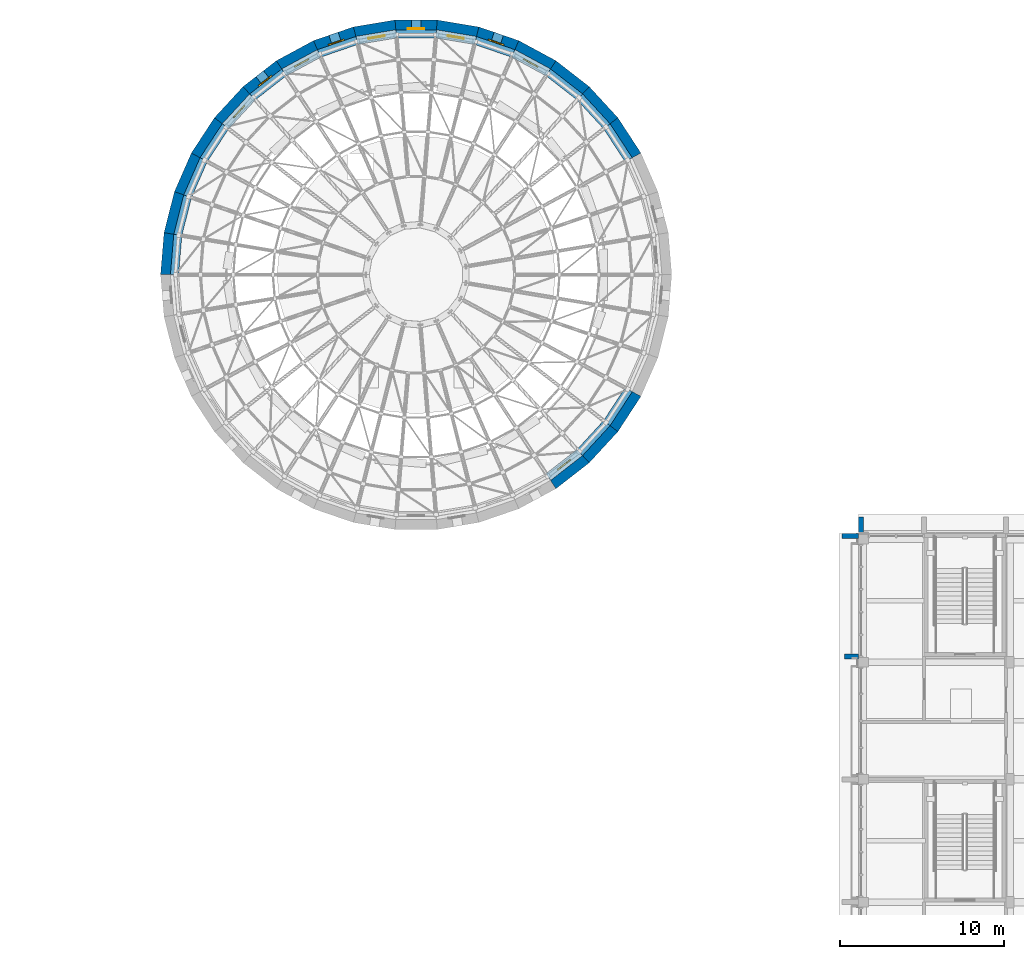
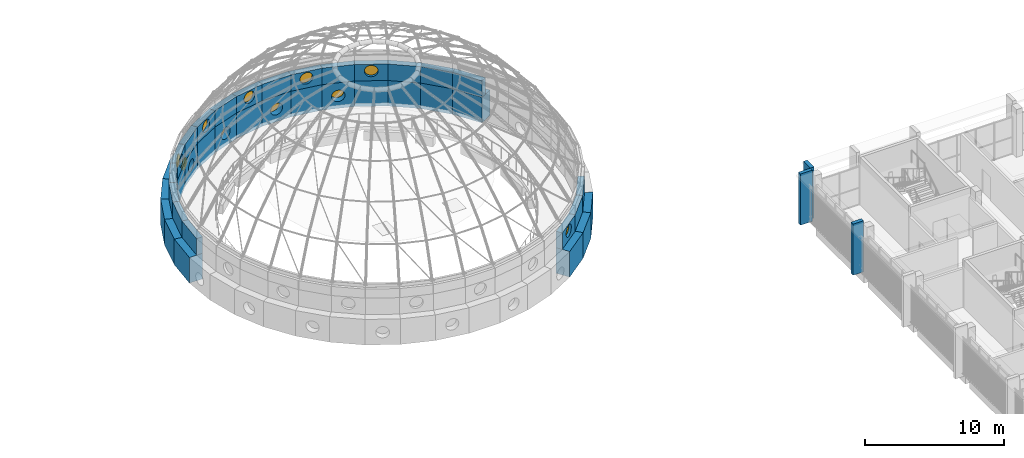
# One storey, part 57 of 98: 41 walls, 10 windows, 10 openings.
"""IFC4 building model written with IfcOpenShell, lengths in metres."""

from ifc_helpers import new_model, si_unit, direction, frame, frame_2d, origin, place, context, subcontext, project, spatial, polyline, rectangle, circle, outline, extrude, material, layer, layer_set, type_object, element, fill, save


model = new_model("IFC4")

# Units and contexts
model_context = context("Model", 3, precision=1e-05, world=origin(), true_north=direction((0.0, 1.0)))
body_context = subcontext(model_context, "Body", "Model", "MODEL_VIEW")
ifc_project = project(units=[si_unit("LENGTHUNIT", "METRE"), si_unit("AREAUNIT", "SQUARE_METRE"), si_unit("VOLUMEUNIT", "CUBIC_METRE"), si_unit("PLANEANGLEUNIT", "RADIAN"), si_unit("MASSUNIT", "GRAM", prefix="KILO")], contexts=[model_context])

# Site, building, storey
site_placement = place(None, origin())
site = spatial("IfcSite", under=ifc_project, at=site_placement, CompositionType="ELEMENT")
building_placement = place(site_placement, origin())
building = spatial("IfcBuilding", under=site, at=building_placement, Name="Sun Court Science Centre", CompositionType="ELEMENT")
storey_placement = place(building_placement, frame((0.0, 0.0, 15.75)))
storey = spatial("IfcBuildingStorey", under=building, at=storey_placement, Name="L03", CompositionType="ELEMENT", Elevation=15.75)

# Walls
ifc_material_1 = material(Name="Concrete C30/37", Category="concrete")
ifc_layer_1 = layer(ifc_material_1, 0.300048828125)
ifc_layer_set_1 = layer_set([ifc_layer_1], Name="Concrete C30/37")
wall_type_1 = type_object("IfcWallType", Name="Facade fin RC 300", PredefinedType="SOLIDWALL", material=ifc_layer_set_1)
wall_1_placement = place(storey_placement, frame((77.14990234375, 73.5, 0.0), z_axis=(0.0, 0.0, 1.0), x_axis=(1.0, 0.0, 0.0)))
element("IfcWall", 1, at=wall_1_placement, inside=storey, type_object=wall_type_1, Name="Facade fin 10 L03", PredefinedType="SOLIDWALL", context=body_context, shape_type="SweptSolid", body=[
    extrude(rectangle(XDim=0.85009765625, YDim=0.300048828125, at=frame_2d((0.425048828125, 0.0))), origin(), (0.0, 0.0, 1.0), 4.5),
])
for number, where, z_axis, x_axis, name in (
    (2, (77.0, 80.85009765625, 0.0), (0.0, 0.0, 1.0), (1.0, 0.0, 0.0), "Facade fin 11 L03"),
    (3, (78.14990234375, 81.0, 0.0), (0.0, 0.0, 1.0), (0.0, 1.0, 0.0), "Facade fin north 01 L03"),
):
    element("IfcWall", number, at=place(storey_placement, frame(where, z_axis=z_axis, x_axis=x_axis)), inside=storey, type_object=wall_type_1, Name=name, PredefinedType="SOLIDWALL", context=body_context, shape_type="SweptSolid", body=[
        extrude(rectangle(XDim=1.0, YDim=0.300048828125, at=frame_2d((0.5, 0.0))), origin(), (0.0, 0.0, 1.0), 4.5),
    ])
ifc_material_2 = material(Name="Concrete C30/37", Category="concrete")
ifc_layer_2 = layer(ifc_material_2, 1.097900390625)
ifc_layer_set_2 = layer_set([ifc_layer_2], Name="Concrete C30/37")
wall_type_2 = type_object("IfcWallType", Name="RC drum wall exterior 1098", PredefinedType="SHEAR", material=ifc_layer_set_2)
wall_2_placement = place(storey_placement, frame((64.26025390625, 103.924560546875, -0.300048828125), z_axis=(0.0, 0.0, 1.0), x_axis=(-0.546935301956, 0.837174877474, 0.0)))
element("IfcWall", 4, at=wall_2_placement, inside=storey, type_object=wall_type_2, Name="Drum wall L03 course 1 segment 3", PredefinedType="SHEAR", context=body_context, shape_type="SweptSolid", body=[
    extrude(outline(polyline([(0.0, -0.548828125), (2.576416015625, -0.548828125), (2.485595703125, 0.549072265625), (0.0908203125, 0.548828125), (0.0, -0.548828125)])), origin(), (0.0, 0.0, 1.0), 2.25),
])
wall_3_placement = place(storey_placement, frame((62.90673828125, 106.010009765625, -0.300048828125), z_axis=(0.0, 0.0, 1.0), x_axis=(-0.677319243908, 0.735689229113, 0.0)))
element("IfcWall", 5, at=wall_3_placement, inside=storey, type_object=wall_type_2, Name="Drum wall L03 course 1 segment 4", PredefinedType="SHEAR", context=body_context, shape_type="SweptSolid", body=[
    extrude(outline(polyline([(-0.000244140625, -0.548828125), (2.576416015625, -0.549072265625), (2.485595703125, 0.549072265625), (0.091064453125, 0.549072265625), (-0.000244140625, -0.548828125)])), origin(), (0.0, 0.0, 1.0), 2.25),
])
wall_4_placement = place(storey_placement, frame((61.228515625, 107.843994140625, -0.300048828125), z_axis=(0.0, 0.0, 1.0), x_axis=(-0.789137872262, 0.614216100865, 0.0)))
element("IfcWall", 6, at=wall_4_placement, inside=storey, type_object=wall_type_2, Name="Drum wall L03 course 1 segment 5", PredefinedType="SHEAR", context=body_context, shape_type="SweptSolid", body=[
    extrude(outline(polyline([(0.0, -0.549072265625), (2.57666015625, -0.549072265625), (2.48583984375, 0.549072265625), (0.09130859375, 0.549072265625), (0.0, -0.549072265625)])), origin(), (0.0, 0.0, 1.0), 2.25),
])
wall_5_placement = place(storey_placement, frame((59.27099609375, 109.376953125, -0.300048828125), z_axis=(0.0, 0.0, 1.0), x_axis=(-0.879458917392, 0.475974802506, 0.0)))
element("IfcWall", 7, at=wall_5_placement, inside=storey, type_object=wall_type_2, Name="Drum wall L03 course 1 segment 6", PredefinedType="SHEAR", context=body_context, shape_type="SweptSolid", body=[
    extrude(outline(polyline([(0.0, -0.549072265625), (2.57666015625, -0.549072265625), (2.4853515625, 0.548828125), (0.091064453125, 0.548828125), (0.0, -0.549072265625)])), origin(), (0.0, 0.0, 1.0), 2.25),
])

# Wall, opening, window
wall_6_placement = place(storey_placement, frame((57.088134765625, 110.56689453125, -0.300048828125), z_axis=(0.0, 0.0, 1.0), x_axis=(-0.945831257337, 0.32465864018, 0.0)))
wall_6 = element("IfcWall", 8, at=wall_6_placement, inside=storey, type_object=wall_type_2, Name="Drum wall L03 course 1 segment 7", PredefinedType="SHEAR", context=body_context, shape_type="SweptSolid", body=[
    extrude(outline(polyline([(0.0, -0.549072265625), (2.576416015625, -0.549072265625), (2.4853515625, 0.549072265625), (0.0908203125, 0.549072265625), (0.0, -0.549072265625)])), origin(), (0.0, 0.0, 1.0), 2.25),
])
opening_1_placement = place(wall_6_placement, frame((0.788330078125, 0.0, 0.60009765625)))
opening_1 = element("IfcOpeningElement", 9, at=opening_1_placement, cuts=wall_6, Name="Opening WN-L03-058", PredefinedType="OPENING", context=body_context, shape_type="SweptSolid", body=[
    extrude(circle(Radius=0.5, at=frame_2d((0.5, 0.5))), frame((0.0, 0.558837890625, 0.0), z_axis=(0.0, -1.0, 0.0), x_axis=(1.0, 0.0, 0.0)), (0.0, 0.0, 1.0), 1.117919921875),
])
ifc_material_3 = material(Name="Aluminium frame, 6-12-6 glazing", Category="aluminium")
window_type = type_object("IfcWindowType", Name="Round porthole 1000", PartitioningType="SINGLE_PANEL", PredefinedType="WINDOW", material=ifc_material_3)
window_1_placement = place(opening_1_placement, origin())
window_1 = element("IfcWindow", 10, at=window_1_placement, inside=storey, type_object=window_type, Name="Drum porthole L03 07", OverallHeight=1.0, OverallWidth=1.0, PartitioningType="SINGLE_PANEL", PredefinedType="WINDOW", context=body_context, shape_type="SweptSolid", body=[
    extrude(circle(Radius=0.5, at=frame_2d((0.5, 0.5))), frame((0.0, 0.030029296875, 0.0), z_axis=(0.0, -1.0, 0.0), x_axis=(1.0, 0.0, 0.0)), (0.0, 0.0, 1.0), 0.06005859375),
])
fill(opening_1, window_1)

# Wall
wall_7_placement = place(storey_placement, frame((54.7392578125, 111.381103515625, -0.300048828125), z_axis=(0.0, 0.0, 1.0), x_axis=(-0.986360609423, 0.164598749022, 0.0)))
element("IfcWall", 11, at=wall_7_placement, inside=storey, type_object=wall_type_2, Name="Drum wall L03 course 1 segment 8", PredefinedType="SHEAR", context=body_context, shape_type="SweptSolid", body=[
    extrude(outline(polyline([(0.0, -0.549072265625), (2.57666015625, -0.548828125), (2.485595703125, 0.548828125), (0.091064453125, 0.549072265625), (0.0, -0.549072265625)])), origin(), (0.0, 0.0, 1.0), 2.25),
])

# Wall, opening, window
wall_8_placement = place(storey_placement, frame((52.288330078125, 111.7978515625, -0.300048828125), z_axis=(0.0, 0.0, 1.0), x_axis=(-1.0, 0.0, 0.0)))
wall_8 = element("IfcWall", 12, at=wall_8_placement, inside=storey, type_object=wall_type_2, Name="Drum wall L03 course 1 segment 9", PredefinedType="SHEAR", context=body_context, shape_type="SweptSolid", body=[
    extrude(outline(polyline([(0.000244140625, -0.548828125), (2.576416015625, -0.548828125), (2.485595703125, 0.549072265625), (0.091064453125, 0.549072265625), (0.000244140625, -0.548828125)])), origin(), (0.0, 0.0, 1.0), 2.25),
])
opening_2_placement = place(wall_8_placement, frame((0.788330078125, 0.0, 0.60009765625)))
opening_2 = element("IfcOpeningElement", 13, at=opening_2_placement, cuts=wall_8, Name="Opening WN-L03-059", PredefinedType="OPENING", context=body_context, shape_type="SweptSolid", body=[
    extrude(circle(Radius=0.5, at=frame_2d((0.5, 0.5))), frame((0.0, 0.558837890625, 0.0), z_axis=(0.0, -1.0, 0.0), x_axis=(1.0, 0.0, 0.0)), (0.0, 0.0, 1.0), 1.117919921875),
])
window_2_placement = place(opening_2_placement, origin())
window_2 = element("IfcWindow", 14, at=window_2_placement, inside=storey, type_object=window_type, Name="Drum porthole L03 09", OverallHeight=1.0, OverallWidth=1.0, PartitioningType="SINGLE_PANEL", PredefinedType="WINDOW", context=body_context, shape_type="SweptSolid", body=[
    extrude(circle(Radius=0.5, at=frame_2d((0.5, 0.5))), frame((0.0, 0.030029296875, 0.0), z_axis=(0.0, -1.0, 0.0), x_axis=(1.0, 0.0, 0.0)), (0.0, 0.0, 1.0), 0.06005859375),
])
fill(opening_2, window_2)

# Wall
wall_9_placement = place(storey_placement, frame((49.802001953125, 111.80517578125, -0.300048828125), z_axis=(0.0, 0.0, 1.0), x_axis=(-0.986360609423, -0.164598749022, 0.0)))
element("IfcWall", 15, at=wall_9_placement, inside=storey, type_object=wall_type_2, Name="Drum wall L03 course 1 segment 10", PredefinedType="SHEAR", context=body_context, shape_type="SweptSolid", body=[
    extrude(outline(polyline([(-0.000244140625, -0.548828125), (2.576416015625, -0.549072265625), (2.4853515625, 0.549072265625), (0.0908203125, 0.548828125), (-0.000244140625, -0.548828125)])), origin(), (0.0, 0.0, 1.0), 2.25),
])

# Wall, opening, window
wall_10_placement = place(storey_placement, frame((47.3486328125, 111.4033203125, -0.300048828125), z_axis=(0.0, 0.0, 1.0), x_axis=(-0.945831257337, -0.32465864018, 0.0)))
wall_10 = element("IfcWall", 16, at=wall_10_placement, inside=storey, type_object=wall_type_2, Name="Drum wall L03 course 1 segment 11", PredefinedType="SHEAR", context=body_context, shape_type="SweptSolid", body=[
    extrude(outline(polyline([(0.0, -0.549072265625), (2.576416015625, -0.549072265625), (2.4853515625, 0.549072265625), (0.0908203125, 0.549072265625), (0.0, -0.549072265625)])), origin(), (0.0, 0.0, 1.0), 2.25),
])
opening_3_placement = place(wall_10_placement, frame((0.788330078125, 0.0, 0.60009765625)))
opening_3 = element("IfcOpeningElement", 17, at=opening_3_placement, cuts=wall_10, Name="Opening WN-L03-060", PredefinedType="OPENING", context=body_context, shape_type="SweptSolid", body=[
    extrude(circle(Radius=0.5, at=frame_2d((0.5, 0.5))), frame((0.0, 0.558837890625, 0.0), z_axis=(0.0, -1.0, 0.0), x_axis=(1.0, 0.0, 0.0)), (0.0, 0.0, 1.0), 1.117919921875),
])
window_3_placement = place(opening_3_placement, origin())
window_3 = element("IfcWindow", 18, at=window_3_placement, inside=storey, type_object=window_type, Name="Drum porthole L03 11", OverallHeight=1.0, OverallWidth=1.0, PartitioningType="SINGLE_PANEL", PredefinedType="WINDOW", context=body_context, shape_type="SweptSolid", body=[
    extrude(circle(Radius=0.5, at=frame_2d((0.5, 0.5))), frame((0.0, 0.030029296875, 0.0), z_axis=(0.0, -1.0, 0.0), x_axis=(1.0, 0.0, 0.0)), (0.0, 0.0, 1.0), 0.06005859375),
])
fill(opening_3, window_3)

# Wall
wall_11_placement = place(storey_placement, frame((44.994873046875, 110.603271484375, -0.300048828125), z_axis=(0.0, 0.0, 1.0), x_axis=(-0.879458917392, -0.475974802506, 0.0)))
element("IfcWall", 19, at=wall_11_placement, inside=storey, type_object=wall_type_2, Name="Drum wall L03 course 1 segment 12", PredefinedType="SHEAR", context=body_context, shape_type="SweptSolid", body=[
    extrude(outline(polyline([(0.0, -0.549072265625), (2.57666015625, -0.549072265625), (2.4853515625, 0.548828125), (0.091064453125, 0.548828125), (0.0, -0.549072265625)])), origin(), (0.0, 0.0, 1.0), 2.25),
])

# Wall, opening, window
wall_12_placement = place(storey_placement, frame((42.8046875, 109.426513671875, -0.300048828125), z_axis=(0.0, 0.0, 1.0), x_axis=(-0.789137872262, -0.614216100865, 0.0)))
wall_12 = element("IfcWall", 20, at=wall_12_placement, inside=storey, type_object=wall_type_2, Name="Drum wall L03 course 1 segment 13", PredefinedType="SHEAR", context=body_context, shape_type="SweptSolid", body=[
    extrude(outline(polyline([(0.0, -0.549072265625), (2.576416015625, -0.549072265625), (2.4853515625, 0.549072265625), (0.0908203125, 0.549072265625), (0.0, -0.549072265625)])), origin(), (0.0, 0.0, 1.0), 2.25),
])
opening_4_placement = place(wall_12_placement, frame((0.788330078125, 0.0, 0.60009765625)))
opening_4 = element("IfcOpeningElement", 21, at=opening_4_placement, cuts=wall_12, Name="Opening WN-L03-061", PredefinedType="OPENING", context=body_context, shape_type="SweptSolid", body=[
    extrude(circle(Radius=0.5, at=frame_2d((0.5, 0.5))), frame((0.0, 0.558837890625, 0.0), z_axis=(0.0, -1.0, 0.0), x_axis=(1.0, 0.0, 0.0)), (0.0, 0.0, 1.0), 1.117919921875),
])
window_4_placement = place(opening_4_placement, origin())
window_4 = element("IfcWindow", 22, at=window_4_placement, inside=storey, type_object=window_type, Name="Drum porthole L03 13", OverallHeight=1.0, OverallWidth=1.0, PartitioningType="SINGLE_PANEL", PredefinedType="WINDOW", context=body_context, shape_type="SweptSolid", body=[
    extrude(circle(Radius=0.5, at=frame_2d((0.5, 0.5))), frame((0.0, 0.030029296875, 0.0), z_axis=(0.0, -1.0, 0.0), x_axis=(1.0, 0.0, 0.0)), (0.0, 0.0, 1.0), 0.06005859375),
])
fill(opening_4, window_4)

# Walls
wall_13_placement = place(storey_placement, frame((40.83837890625, 107.905517578125, -0.300048828125), z_axis=(0.0, 0.0, 1.0), x_axis=(-0.677319243908, -0.735689229113, 0.0)))
element("IfcWall", 23, at=wall_13_placement, inside=storey, type_object=wall_type_2, Name="Drum wall L03 course 1 segment 14", PredefinedType="SHEAR", context=body_context, shape_type="SweptSolid", body=[
    extrude(outline(polyline([(0.000244140625, -0.549072265625), (2.57666015625, -0.548828125), (2.485595703125, 0.549072265625), (0.0908203125, 0.549072265625), (0.000244140625, -0.549072265625)])), origin(), (0.0, 0.0, 1.0), 2.25),
])
wall_14_placement = place(storey_placement, frame((39.14892578125, 106.08154296875, -0.300048828125), z_axis=(0.0, 0.0, 1.0), x_axis=(-0.546935301956, -0.837174877474, 0.0)))
element("IfcWall", 24, at=wall_14_placement, inside=storey, type_object=wall_type_2, Name="Drum wall L03 course 1 segment 15", PredefinedType="SHEAR", context=body_context, shape_type="SweptSolid", body=[
    extrude(outline(polyline([(0.0, -0.548828125), (2.576416015625, -0.548828125), (2.485595703125, 0.548828125), (0.091064453125, 0.549072265625), (0.0, -0.548828125)])), origin(), (0.0, 0.0, 1.0), 2.25),
])
wall_15_placement = place(storey_placement, frame((37.782958984375, 104.004150390625, -0.300048828125), z_axis=(0.0, 0.0, 1.0), x_axis=(-0.401693563035, -0.915774143234, 0.0)))
element("IfcWall", 25, at=wall_15_placement, inside=storey, type_object=wall_type_2, Name="Drum wall L03 course 1 segment 16", PredefinedType="SHEAR", context=body_context, shape_type="SweptSolid", body=[
    extrude(outline(polyline([(-0.000244140625, -0.549072265625), (2.576416015625, -0.548828125), (2.4853515625, 0.549072265625), (0.0908203125, 0.548828125), (-0.000244140625, -0.549072265625)])), origin(), (0.0, 0.0, 1.0), 2.25),
])
wall_16_placement = place(storey_placement, frame((36.77734375, 101.73046875, -0.300048828125), z_axis=(0.0, 0.0, 1.0), x_axis=(-0.24543313963, -0.969413520625, 0.0)))
element("IfcWall", 26, at=wall_16_placement, inside=storey, type_object=wall_type_2, Name="Drum wall L03 course 1 segment 17", PredefinedType="SHEAR", context=body_context, shape_type="SweptSolid", body=[
    extrude(outline(polyline([(0.0, -0.548828125), (2.576416015625, -0.549072265625), (2.485595703125, 0.548828125), (0.0908203125, 0.549072265625), (0.0, -0.548828125)])), origin(), (0.0, 0.0, 1.0), 2.25),
])
wall_17_placement = place(storey_placement, frame((36.159912109375, 99.322265625, -0.300048828125), z_axis=(0.0, 0.0, 1.0), x_axis=(-0.082629840091, -0.996580307615, 0.0)))
element("IfcWall", 27, at=wall_17_placement, inside=storey, type_object=wall_type_2, Name="Drum wall L03 course 1 segment 18", PredefinedType="SHEAR", context=body_context, shape_type="SweptSolid", body=[
    extrude(outline(polyline([(0.0, -0.549072265625), (2.576416015625, -0.549072265625), (2.4853515625, 0.549072265625), (0.0908203125, 0.548828125), (0.0, -0.549072265625)])), origin(), (0.0, 0.0, 1.0), 2.25),
])
wall_18_placement = place(storey_placement, frame((59.1953125, 84.17333984375, -0.300048828125), z_axis=(0.0, 0.0, 1.0), x_axis=(0.789137872262, 0.614216100865, 0.0)))
element("IfcWall", 28, at=wall_18_placement, inside=storey, type_object=wall_type_2, Name="Drum wall L03 course 1 segment 32", PredefinedType="SHEAR", context=body_context, shape_type="SweptSolid", body=[
    extrude(outline(polyline([(0.0, -0.548828125), (2.576416015625, -0.548828125), (2.4853515625, 0.549072265625), (0.0908203125, 0.54931640625), (0.0, -0.548828125)])), origin(), (0.0, 0.0, 1.0), 2.25),
])
wall_19_placement = place(storey_placement, frame((61.16162109375, 85.694580078125, -0.300048828125), z_axis=(0.0, 0.0, 1.0), x_axis=(0.677319243908, 0.735689229113, 0.0)))
element("IfcWall", 29, at=wall_19_placement, inside=storey, type_object=wall_type_2, Name="Drum wall L03 course 1 segment 33", PredefinedType="SHEAR", context=body_context, shape_type="SweptSolid", body=[
    extrude(outline(polyline([(0.000244140625, -0.549072265625), (2.576416015625, -0.548828125), (2.485595703125, 0.549072265625), (0.0908203125, 0.549072265625), (0.000244140625, -0.549072265625)])), origin(), (0.0, 0.0, 1.0), 2.25),
])
wall_20_placement = place(storey_placement, frame((62.85107421875, 87.5185546875, -0.300048828125), z_axis=(0.0, 0.0, 1.0), x_axis=(0.546935301956, 0.837174877474, 0.0)))
element("IfcWall", 30, at=wall_20_placement, inside=storey, type_object=wall_type_2, Name="Drum wall L03 course 1 segment 34", PredefinedType="SHEAR", context=body_context, shape_type="SweptSolid", body=[
    extrude(outline(polyline([(0.0, -0.548828125), (2.576416015625, -0.548828125), (2.485595703125, 0.548828125), (0.091064453125, 0.549072265625), (0.0, -0.548828125)])), origin(), (0.0, 0.0, 1.0), 2.25),
])
ifc_material_4 = material(Name="Concrete C30/37", Category="concrete")
ifc_layer_3 = layer(ifc_material_4, 0.5)
ifc_layer_set_3 = layer_set([ifc_layer_3], Name="Concrete C30/37")
wall_type_3 = type_object("IfcWallType", Name="RC drum wall exterior 500", PredefinedType="SHEAR", material=ifc_layer_set_3)
wall_21_placement = place(storey_placement, frame((63.98291015625, 103.802490234375, 1.949951171875), z_axis=(0.0, 0.0, 1.0), x_axis=(-0.546943979507, 0.837169208273, 0.0)))
element("IfcWall", 31, at=wall_21_placement, inside=storey, type_object=wall_type_3, Name="Drum wall L03 course 2 segment 3", PredefinedType="SHEAR", context=body_context, shape_type="SweptSolid", body=[
    extrude(outline(polyline([(0.0, -0.25), (2.477294921875, -0.25), (2.43603515625, 0.25), (0.04150390625, 0.25), (0.0, -0.25)])), origin(), (0.0, 0.0, 1.0), 1.449951171875),
])
wall_22_placement = place(storey_placement, frame((62.653076171875, 105.84375, 1.949951171875), z_axis=(0.0, 0.0, 1.0), x_axis=(-0.677231577782, 0.735769930111, 0.0)))
element("IfcWall", 32, at=wall_22_placement, inside=storey, type_object=wall_type_3, Name="Drum wall L03 course 2 segment 4", PredefinedType="SHEAR", context=body_context, shape_type="SweptSolid", body=[
    extrude(outline(polyline([(0.0, -0.250244140625), (2.4775390625, -0.25), (2.43603515625, 0.25), (0.04150390625, 0.249755859375), (0.0, -0.250244140625)])), origin(), (0.0, 0.0, 1.0), 1.449951171875),
])
wall_23_placement = place(storey_placement, frame((61.005615234375, 107.638671875, 1.949951171875), z_axis=(0.0, 0.0, 1.0), x_axis=(-0.789145203005, 0.614206682294, 0.0)))
element("IfcWall", 33, at=wall_23_placement, inside=storey, type_object=wall_type_3, Name="Drum wall L03 course 2 segment 5", PredefinedType="SHEAR", context=body_context, shape_type="SweptSolid", body=[
    extrude(outline(polyline([(0.0, -0.25), (2.477294921875, -0.249755859375), (2.43603515625, 0.25), (0.04150390625, 0.25), (0.0, -0.25)])), origin(), (0.0, 0.0, 1.0), 1.449951171875),
])

# Wall, opening, window
wall_24_placement = place(storey_placement, frame((59.085205078125, 109.1376953125, 1.949951171875), z_axis=(0.0, 0.0, 1.0), x_axis=(-0.879491377555, 0.475914820956, 0.0)))
wall_24 = element("IfcWall", 34, at=wall_24_placement, inside=storey, type_object=wall_type_3, Name="Drum wall L03 course 2 segment 6", PredefinedType="SHEAR", context=body_context, shape_type="SweptSolid", body=[
    extrude(outline(polyline([(0.0, -0.249755859375), (2.477294921875, -0.25), (2.435791015625, 0.25), (0.04150390625, 0.25), (0.0, -0.249755859375)])), origin(), (0.0, 0.0, 1.0), 1.449951171875),
])
opening_5_placement = place(wall_24_placement, frame((0.73876953125, 0.0, 0.35009765625)))
opening_5 = element("IfcOpeningElement", 35, at=opening_5_placement, cuts=wall_24, Name="Opening WN-L03-070", PredefinedType="OPENING", context=body_context, shape_type="SweptSolid", body=[
    extrude(circle(Radius=0.5, at=frame_2d((0.5, 0.5))), frame((0.0, 0.260009765625, 0.0), z_axis=(0.0, -1.0, 0.0), x_axis=(1.0, 0.0, 0.0)), (0.0, 0.0, 1.0), 0.52001953125),
])
window_5_placement = place(opening_5_placement, origin())
window_5 = element("IfcWindow", 36, at=window_5_placement, inside=storey, type_object=window_type, Name="Drum porthole L03 06", OverallHeight=1.0, OverallWidth=1.0, PartitioningType="SINGLE_PANEL", PredefinedType="WINDOW", context=body_context, shape_type="SweptSolid", body=[
    extrude(circle(Radius=0.5, at=frame_2d((0.5, 0.5))), frame((0.0, 0.030029296875, 0.0), z_axis=(0.0, -1.0, 0.0), x_axis=(1.0, 0.0, 0.0)), (0.0, 0.0, 1.0), 0.06005859375),
])
fill(opening_5, window_5)

# Wall
wall_25_placement = place(storey_placement, frame((56.9443359375, 110.300048828125, 1.949951171875), z_axis=(0.0, 0.0, 1.0), x_axis=(-0.945817167916, 0.324699684131, 0.0)))
element("IfcWall", 37, at=wall_25_placement, inside=storey, type_object=wall_type_3, Name="Drum wall L03 course 2 segment 7", PredefinedType="SHEAR", context=body_context, shape_type="SweptSolid", body=[
    extrude(outline(polyline([(0.000244140625, -0.25), (2.4775390625, -0.250244140625), (2.43603515625, 0.25), (0.04150390625, 0.25), (0.000244140625, -0.25)])), origin(), (0.0, 0.0, 1.0), 1.449951171875),
])

# Wall, opening, window
wall_26_placement = place(storey_placement, frame((54.64111328125, 111.094482421875, 1.949951171875), z_axis=(0.0, 0.0, 1.0), x_axis=(-0.986364610183, 0.164574772605, 0.0)))
wall_26 = element("IfcWall", 38, at=wall_26_placement, inside=storey, type_object=wall_type_3, Name="Drum wall L03 course 2 segment 8", PredefinedType="SHEAR", context=body_context, shape_type="SweptSolid", body=[
    extrude(outline(polyline([(0.0, -0.25), (2.477294921875, -0.25), (2.43603515625, 0.25), (0.04150390625, 0.250244140625), (0.0, -0.25)])), origin(), (0.0, 0.0, 1.0), 1.449951171875),
])
opening_6_placement = place(wall_26_placement, frame((0.73876953125, 0.0, 0.35009765625)))
opening_6 = element("IfcOpeningElement", 39, at=opening_6_placement, cuts=wall_26, Name="Opening WN-L03-071", PredefinedType="OPENING", context=body_context, shape_type="SweptSolid", body=[
    extrude(circle(Radius=0.5, at=frame_2d((0.5, 0.5))), frame((0.0, 0.260009765625, 0.0), z_axis=(0.0, -1.0, 0.0), x_axis=(1.0, 0.0, 0.0)), (0.0, 0.0, 1.0), 0.52001953125),
])
window_6_placement = place(opening_6_placement, origin())
window_6 = element("IfcWindow", 40, at=window_6_placement, inside=storey, type_object=window_type, Name="Drum porthole L03 08", OverallHeight=1.0, OverallWidth=1.0, PartitioningType="SINGLE_PANEL", PredefinedType="WINDOW", context=body_context, shape_type="SweptSolid", body=[
    extrude(circle(Radius=0.5, at=frame_2d((0.5, 0.5))), frame((0.0, 0.030029296875, 0.0), z_axis=(0.0, -1.0, 0.0), x_axis=(1.0, 0.0, 0.0)), (0.0, 0.0, 1.0), 0.06005859375),
])
fill(opening_6, window_6)

# Wall
wall_27_placement = place(storey_placement, frame((52.23876953125, 111.498779296875, 1.949951171875), z_axis=(0.0, 0.0, 1.0), x_axis=(-1.0, 0.0, 0.0)))
element("IfcWall", 41, at=wall_27_placement, inside=storey, type_object=wall_type_3, Name="Drum wall L03 course 2 segment 9", PredefinedType="SHEAR", context=body_context, shape_type="SweptSolid", body=[
    extrude(outline(polyline([(0.0, -0.25), (2.4775390625, -0.25), (2.43603515625, 0.25), (0.04150390625, 0.25), (0.0, -0.25)])), origin(), (0.0, 0.0, 1.0), 1.449951171875),
])

# Wall, opening, window
wall_28_placement = place(storey_placement, frame((49.802490234375, 111.502197265625, 1.949951171875), z_axis=(0.0, 0.0, 1.0), x_axis=(-0.986364610183, -0.164574772605, 0.0)))
wall_28 = element("IfcWall", 42, at=wall_28_placement, inside=storey, type_object=wall_type_3, Name="Drum wall L03 course 2 segment 10", PredefinedType="SHEAR", context=body_context, shape_type="SweptSolid", body=[
    extrude(outline(polyline([(0.0, -0.25), (2.4775390625, -0.25), (2.43603515625, 0.250244140625), (0.04150390625, 0.25), (0.0, -0.25)])), origin(), (0.0, 0.0, 1.0), 1.449951171875),
])
opening_7_placement = place(wall_28_placement, frame((0.73876953125, 0.0, 0.35009765625)))
opening_7 = element("IfcOpeningElement", 43, at=opening_7_placement, cuts=wall_28, Name="Opening WN-L03-072", PredefinedType="OPENING", context=body_context, shape_type="SweptSolid", body=[
    extrude(circle(Radius=0.5, at=frame_2d((0.5, 0.5))), frame((0.0, 0.260009765625, 0.0), z_axis=(0.0, -1.0, 0.0), x_axis=(1.0, 0.0, 0.0)), (0.0, 0.0, 1.0), 0.52001953125),
])
window_7_placement = place(opening_7_placement, origin())
window_7 = element("IfcWindow", 44, at=window_7_placement, inside=storey, type_object=window_type, Name="Drum porthole L03 10", OverallHeight=1.0, OverallWidth=1.0, PartitioningType="SINGLE_PANEL", PredefinedType="WINDOW", context=body_context, shape_type="SweptSolid", body=[
    extrude(circle(Radius=0.5, at=frame_2d((0.5, 0.5))), frame((0.0, 0.030029296875, 0.0), z_axis=(0.0, -1.0, 0.0), x_axis=(1.0, 0.0, 0.0)), (0.0, 0.0, 1.0), 0.06005859375),
])
fill(opening_7, window_7)

# Wall
wall_29_placement = place(storey_placement, frame((47.39892578125, 111.1044921875, 1.949951171875), z_axis=(0.0, 0.0, 1.0), x_axis=(-0.945817167916, -0.324699684131, 0.0)))
element("IfcWall", 45, at=wall_29_placement, inside=storey, type_object=wall_type_3, Name="Drum wall L03 course 2 segment 11", PredefinedType="SHEAR", context=body_context, shape_type="SweptSolid", body=[
    extrude(outline(polyline([(0.0, -0.250244140625), (2.477294921875, -0.25), (2.43603515625, 0.25), (0.04150390625, 0.25), (0.0, -0.250244140625)])), origin(), (0.0, 0.0, 1.0), 1.449951171875),
])

# Wall, opening, window
wall_30_placement = place(storey_placement, frame((45.093505859375, 110.316650390625, 1.949951171875), z_axis=(0.0, 0.0, 1.0), x_axis=(-0.879491377555, -0.475914820956, 0.0)))
wall_30 = element("IfcWall", 46, at=wall_30_placement, inside=storey, type_object=wall_type_3, Name="Drum wall L03 course 2 segment 12", PredefinedType="SHEAR", context=body_context, shape_type="SweptSolid", body=[
    extrude(outline(polyline([(0.0, -0.25), (2.477294921875, -0.249755859375), (2.435791015625, 0.25), (0.04150390625, 0.25), (0.0, -0.25)])), origin(), (0.0, 0.0, 1.0), 1.449951171875),
])
opening_8_placement = place(wall_30_placement, frame((0.73876953125, 0.0, 0.35009765625)))
opening_8 = element("IfcOpeningElement", 47, at=opening_8_placement, cuts=wall_30, Name="Opening WN-L03-073", PredefinedType="OPENING", context=body_context, shape_type="SweptSolid", body=[
    extrude(circle(Radius=0.5, at=frame_2d((0.5, 0.5))), frame((0.0, 0.260009765625, 0.0), z_axis=(0.0, -1.0, 0.0), x_axis=(1.0, 0.0, 0.0)), (0.0, 0.0, 1.0), 0.52001953125),
])
window_8_placement = place(opening_8_placement, origin())
window_8 = element("IfcWindow", 48, at=window_8_placement, inside=storey, type_object=window_type, Name="Drum porthole L03 12", OverallHeight=1.0, OverallWidth=1.0, PartitioningType="SINGLE_PANEL", PredefinedType="WINDOW", context=body_context, shape_type="SweptSolid", body=[
    extrude(circle(Radius=0.5, at=frame_2d((0.5, 0.5))), frame((0.0, 0.030029296875, 0.0), z_axis=(0.0, -1.0, 0.0), x_axis=(1.0, 0.0, 0.0)), (0.0, 0.0, 1.0), 0.06005859375),
])
fill(opening_8, window_8)

# Wall
wall_31_placement = place(storey_placement, frame((42.94921875, 109.16015625, 1.949951171875), z_axis=(0.0, 0.0, 1.0), x_axis=(-0.789145203005, -0.614206682294, 0.0)))
element("IfcWall", 49, at=wall_31_placement, inside=storey, type_object=wall_type_3, Name="Drum wall L03 course 2 segment 13", PredefinedType="SHEAR", context=body_context, shape_type="SweptSolid", body=[
    extrude(outline(polyline([(-0.000244140625, -0.249755859375), (2.477294921875, -0.25), (2.435791015625, 0.25), (0.041259765625, 0.25), (-0.000244140625, -0.249755859375)])), origin(), (0.0, 0.0, 1.0), 1.449951171875),
])

# Wall, opening, window
wall_32_placement = place(storey_placement, frame((41.024658203125, 107.66650390625, 1.949951171875), z_axis=(0.0, 0.0, 1.0), x_axis=(-0.677231577782, -0.735769930111, 0.0)))
wall_32 = element("IfcWall", 50, at=wall_32_placement, inside=storey, type_object=wall_type_3, Name="Drum wall L03 course 2 segment 14", PredefinedType="SHEAR", context=body_context, shape_type="SweptSolid", body=[
    extrude(outline(polyline([(-0.000244140625, -0.25), (2.477294921875, -0.250244140625), (2.435791015625, 0.249755859375), (0.041259765625, 0.25), (-0.000244140625, -0.25)])), origin(), (0.0, 0.0, 1.0), 1.449951171875),
])
opening_9_placement = place(wall_32_placement, frame((0.73876953125, 0.0, 0.35009765625)))
opening_9 = element("IfcOpeningElement", 51, at=opening_9_placement, cuts=wall_32, Name="Opening WN-L03-074", PredefinedType="OPENING", context=body_context, shape_type="SweptSolid", body=[
    extrude(circle(Radius=0.5, at=frame_2d((0.5, 0.5))), frame((0.0, 0.260009765625, 0.0), z_axis=(0.0, -1.0, 0.0), x_axis=(1.0, 0.0, 0.0)), (0.0, 0.0, 1.0), 0.52001953125),
])
window_9_placement = place(opening_9_placement, origin())
window_9 = element("IfcWindow", 52, at=window_9_placement, inside=storey, type_object=window_type, Name="Drum porthole L03 14", OverallHeight=1.0, OverallWidth=1.0, PartitioningType="SINGLE_PANEL", PredefinedType="WINDOW", context=body_context, shape_type="SweptSolid", body=[
    extrude(circle(Radius=0.5, at=frame_2d((0.5, 0.5))), frame((0.0, 0.030029296875, 0.0), z_axis=(0.0, -1.0, 0.0), x_axis=(1.0, 0.0, 0.0)), (0.0, 0.0, 1.0), 0.06005859375),
])
fill(opening_9, window_9)

# Walls
wall_33_placement = place(storey_placement, frame((39.3720703125, 105.87646484375, 1.949951171875), z_axis=(0.0, 0.0, 1.0), x_axis=(-0.546943979507, -0.837169208273, 0.0)))
element("IfcWall", 53, at=wall_33_placement, inside=storey, type_object=wall_type_3, Name="Drum wall L03 course 2 segment 15", PredefinedType="SHEAR", context=body_context, shape_type="SweptSolid", body=[
    extrude(outline(polyline([(0.0, -0.25), (2.477294921875, -0.25), (2.43603515625, 0.25), (0.041259765625, 0.25), (0.0, -0.25)])), origin(), (0.0, 0.0, 1.0), 1.449951171875),
])
for number, where, z_axis, x_axis, name in (
    (54, (38.036865234375, 103.8388671875, 1.949951171875), (0.0, 0.0, 1.0), (-0.401671644692, -0.915783757145, 0.0), "Drum wall L03 course 2 segment 16"),
    (55, (37.05517578125, 101.609130859375, 1.949951171875), (0.0, 0.0, 1.0), (-0.245479308712, -0.969401830509, 0.0), "Drum wall L03 course 2 segment 17"),
):
    element("IfcWall", number, at=place(storey_placement, frame(where, z_axis=z_axis, x_axis=x_axis)), inside=storey, type_object=wall_type_3, Name=name, PredefinedType="SHEAR", context=body_context, shape_type="SweptSolid", body=[
        extrude(outline(polyline([(0.0, -0.25), (2.4775390625, -0.25), (2.43603515625, 0.25), (0.04150390625, 0.25), (0.0, -0.25)])), origin(), (0.0, 0.0, 1.0), 1.449951171875),
    ])
wall_34_placement = place(storey_placement, frame((36.45361328125, 99.248291015625, 1.949951171875), z_axis=(0.0, 0.0, 1.0), x_axis=(-0.082482736782, -0.996592493516, 0.0)))
element("IfcWall", 56, at=wall_34_placement, inside=storey, type_object=wall_type_3, Name="Drum wall L03 course 2 segment 18", PredefinedType="SHEAR", context=body_context, shape_type="SweptSolid", body=[
    extrude(outline(polyline([(0.0, -0.249755859375), (2.477294921875, -0.250244140625), (2.43603515625, 0.249755859375), (0.04150390625, 0.250244140625), (0.0, -0.249755859375)])), origin(), (0.0, 0.0, 1.0), 1.449951171875),
])

# Wall, opening, window
wall_35_placement = place(storey_placement, frame((59.05078125, 84.439697265625, 1.949951171875), z_axis=(0.0, 0.0, 1.0), x_axis=(0.789097433146, 0.614268053054, 0.0)))
wall_35 = element("IfcWall", 57, at=wall_35_placement, inside=storey, type_object=wall_type_3, Name="Drum wall L03 course 2 segment 32", PredefinedType="SHEAR", context=body_context, shape_type="SweptSolid", body=[
    extrude(outline(polyline([(-0.000244140625, -0.249755859375), (2.477294921875, -0.25), (2.435791015625, 0.25), (0.041259765625, 0.250244140625), (-0.000244140625, -0.249755859375)])), origin(), (0.0, 0.0, 1.0), 1.449951171875),
])
opening_10_placement = place(wall_35_placement, frame((0.73876953125, 0.0, 0.35009765625)))
opening_10 = element("IfcOpeningElement", 58, at=opening_10_placement, cuts=wall_35, Name="Opening WN-L03-081", PredefinedType="OPENING", context=body_context, shape_type="SweptSolid", body=[
    extrude(circle(Radius=0.5, at=frame_2d((0.5, 0.5))), frame((0.0, 0.260009765625, 0.0), z_axis=(0.0, -1.0, 0.0), x_axis=(1.0, 0.0, 0.0)), (0.0, 0.0, 1.0), 0.52001953125),
])
window_10_placement = place(opening_10_placement, origin())
window_10 = element("IfcWindow", 59, at=window_10_placement, inside=storey, type_object=window_type, Name="Drum porthole L03 32", OverallHeight=1.0, OverallWidth=1.0, PartitioningType="SINGLE_PANEL", PredefinedType="WINDOW", context=body_context, shape_type="SweptSolid", body=[
    extrude(circle(Radius=0.5, at=frame_2d((0.5, 0.5))), frame((0.0, 0.030029296875, 0.0), z_axis=(0.0, -1.0, 0.0), x_axis=(1.0, 0.0, 0.0)), (0.0, 0.0, 1.0), 0.06005859375),
])
fill(opening_10, window_10)

# Walls
wall_36_placement = place(storey_placement, frame((60.975341796875, 85.933349609375, 1.949951171875), z_axis=(0.0, 0.0, 1.0), x_axis=(0.677231577782, 0.735769930111, 0.0)))
element("IfcWall", 60, at=wall_36_placement, inside=storey, type_object=wall_type_3, Name="Drum wall L03 course 2 segment 33", PredefinedType="SHEAR", context=body_context, shape_type="SweptSolid", body=[
    extrude(outline(polyline([(0.0, -0.249755859375), (2.4775390625, -0.25), (2.43603515625, 0.25), (0.04150390625, 0.250244140625), (0.0, -0.249755859375)])), origin(), (0.0, 0.0, 1.0), 1.449951171875),
])
wall_37_placement = place(storey_placement, frame((62.6279296875, 87.7236328125, 1.949951171875), z_axis=(0.0, 0.0, 1.0), x_axis=(0.546943979507, 0.837169208273, 0.0)))
element("IfcWall", 61, at=wall_37_placement, inside=storey, type_object=wall_type_3, Name="Drum wall L03 course 2 segment 34", PredefinedType="SHEAR", context=body_context, shape_type="SweptSolid", body=[
    extrude(outline(polyline([(0.0, -0.25), (2.477294921875, -0.25), (2.43603515625, 0.25), (0.041259765625, 0.25), (0.0, -0.25)])), origin(), (0.0, 0.0, 1.0), 1.449951171875),
])

save(model, "model.ifc")
